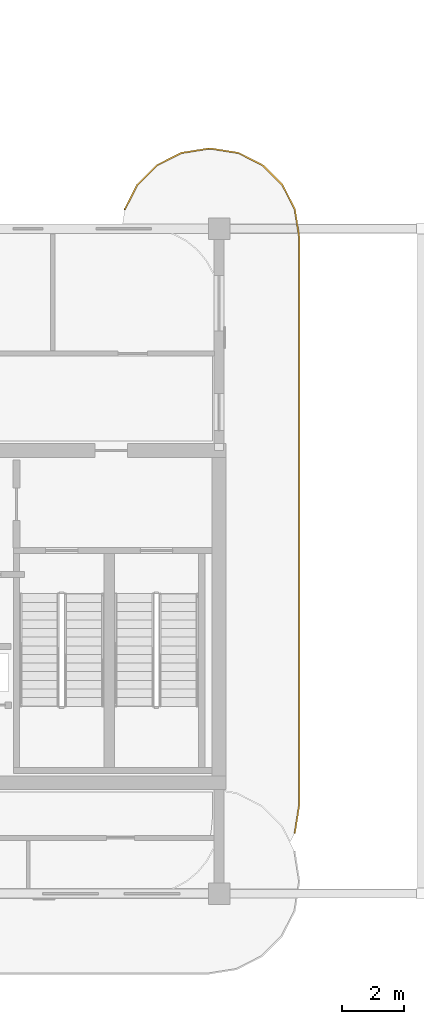
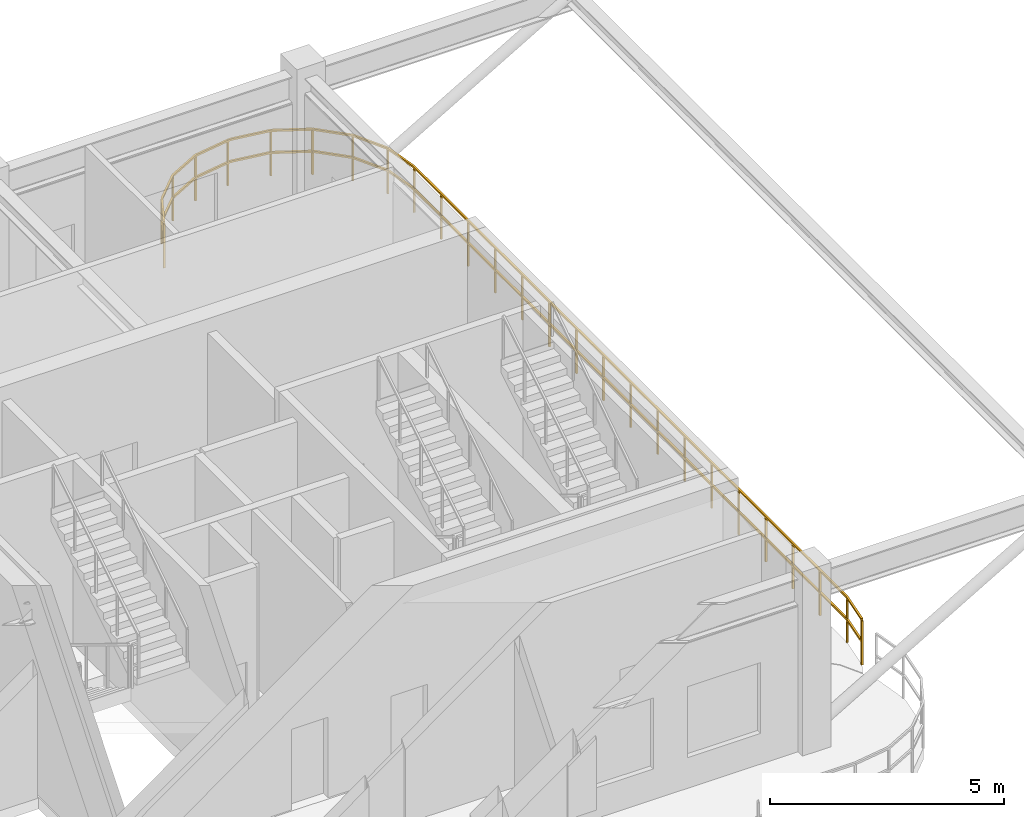
# One storey, part 8 of 8: 1 railing.
"""IFC4 building model written with IfcOpenShell, lengths in metres."""

from ifc_helpers import new_model, si_unit, derived_unit, direction, frame, origin, origin_2d, place, context, subcontext, project, spatial, rectangle, extrude, material, type_object, element, save


model = new_model("IFC4")

# Units and contexts
model_context = context("Model", 3, precision=1e-05, world=origin(), true_north=direction((0.0, 1.0)))
body_context = subcontext(model_context, "Body", "Model", "MODEL_VIEW")
ifc_project = project(units=[si_unit("LENGTHUNIT", "METRE"), si_unit("AREAUNIT", "SQUARE_METRE"), si_unit("VOLUMEUNIT", "CUBIC_METRE"), si_unit("PLANEANGLEUNIT", "RADIAN"), si_unit("MASSUNIT", "GRAM", prefix="KILO"), si_unit("THERMODYNAMICTEMPERATUREUNIT", "KELVIN"), si_unit("POWERUNIT", "WATT"), derived_unit("THERMALTRANSMITTANCEUNIT", [(si_unit("POWERUNIT", "WATT"), 1), (si_unit("AREAUNIT", "SQUARE_METRE"), -1), (si_unit("THERMODYNAMICTEMPERATUREUNIT", "KELVIN"), -1)])], contexts=[model_context])

# Site, building, storey
site_placement = place(None, origin())
site = spatial("IfcSite", under=ifc_project, at=site_placement, CompositionType="ELEMENT")
building_placement = place(site_placement, origin())
building = spatial("IfcBuilding", under=site, at=building_placement, Name="Zahravan Archway Hotel and Residences", CompositionType="ELEMENT")
storey_placement = place(building_placement, frame((0.0, 0.0, 294.300048828125)))
storey = spatial("IfcBuildingStorey", under=building, at=storey_placement, Name="L74", CompositionType="ELEMENT", Elevation=294.300048828125)

# Railing
ifc_material = material(Name="Bronze & Laminated Glass Balustrade", Category="glass")
railing_type = type_object("IfcRailingType", Name="RL-BAL-1200", PredefinedType="BALUSTRADE", material=ifc_material)
railing_placement = place(storey_placement, frame((46.739501953125, 22.230712890625, 0.0)))
element("IfcRailing", 1, at=railing_placement, inside=storey, type_object=railing_type, Name="L74 Balustrade RL-SLB-BAL-L74-EA-1", PredefinedType="BALUSTRADE", context=body_context, shape_type="SweptSolid", body=[
    extrude(rectangle(XDim=0.048095703125, YDim=0.048095703125, at=origin_2d()), frame((0.0, 0.0, 1.17578125), z_axis=(0.453991409995, 0.891006060389, 0.0), x_axis=(-0.891006060389, 0.453991409995, 0.0)), (0.0, 0.0, 1.0), 0.8916015625),
    extrude(rectangle(XDim=0.048095703125, YDim=0.048095703125, at=origin_2d()), frame((0.0, 0.0, 0.60009765625), z_axis=(0.453991409995, 0.891006060389, 0.0), x_axis=(-0.891006060389, 0.453991409995, 0.0)), (0.0, 0.0, 1.0), 0.8916015625),
    extrude(rectangle(XDim=0.048095703125, YDim=0.048095703125, at=origin_2d()), frame((0.40478515625, 0.79443359375, 1.17578125), z_axis=(0.707106781187, 0.707106781187, 0.0), x_axis=(-0.707106781187, 0.707106781187, 0.0)), (0.0, 0.0, 1.0), 0.891845703125),
    extrude(rectangle(XDim=0.048095703125, YDim=0.048095703125, at=origin_2d()), frame((0.40478515625, 0.79443359375, 0.60009765625), z_axis=(0.707106781187, 0.707106781187, 0.0), x_axis=(-0.707106781187, 0.707106781187, 0.0)), (0.0, 0.0, 1.0), 0.891845703125),
    extrude(rectangle(XDim=0.048095703125, YDim=0.048095703125, at=origin_2d()), frame((1.035400390625, 1.425048828125, 1.17578125), z_axis=(0.891006060389, 0.453991409995, 0.0), x_axis=(-0.453991409995, 0.891006060389, 0.0)), (0.0, 0.0, 1.0), 0.8916015625),
    extrude(rectangle(XDim=0.048095703125, YDim=0.048095703125, at=origin_2d()), frame((1.035400390625, 1.425048828125, 0.60009765625), z_axis=(0.891006060389, 0.453991409995, 0.0), x_axis=(-0.453991409995, 0.891006060389, 0.0)), (0.0, 0.0, 1.0), 0.8916015625),
    extrude(rectangle(XDim=0.048095703125, YDim=0.048095703125, at=origin_2d()), frame((1.829833984375, 1.829833984375, 1.17578125), z_axis=(0.987700720307, 0.156356282588, 0.0), x_axis=(-0.156356282588, 0.987700720307, 0.0)), (0.0, 0.0, 1.0), 0.8916015625),
    extrude(rectangle(XDim=0.048095703125, YDim=0.048095703125, at=origin_2d()), frame((1.829833984375, 1.829833984375, 0.60009765625), z_axis=(0.987700720307, 0.156356282588, 0.0), x_axis=(-0.156356282588, 0.987700720307, 0.0)), (0.0, 0.0, 1.0), 0.8916015625),
    extrude(rectangle(XDim=0.048095703125, YDim=0.048095703125, at=origin_2d()), frame((2.71044921875, 1.96923828125, 1.17578125), z_axis=(1.0, 0.0, 0.0), x_axis=(0.0, 1.0, 0.0)), (0.0, 0.0, 1.0), 0.10009765625),
    extrude(rectangle(XDim=0.048095703125, YDim=0.048095703125, at=origin_2d()), frame((2.71044921875, 1.96923828125, 0.60009765625), z_axis=(1.0, 0.0, 0.0), x_axis=(0.0, 1.0, 0.0)), (0.0, 0.0, 1.0), 0.10009765625),
    extrude(rectangle(XDim=0.048095703125, YDim=0.048095703125, at=origin_2d()), frame((2.810546875, 1.96923828125, 1.17578125), z_axis=(0.987700720307, -0.156356282588, 0.0), x_axis=(0.156356282588, 0.987700720307, 0.0)), (0.0, 0.0, 1.0), 0.8916015625),
    extrude(rectangle(XDim=0.048095703125, YDim=0.048095703125, at=origin_2d()), frame((2.810546875, 1.96923828125, 0.60009765625), z_axis=(0.987700720307, -0.156356282588, 0.0), x_axis=(0.156356282588, 0.987700720307, 0.0)), (0.0, 0.0, 1.0), 0.8916015625),
    extrude(rectangle(XDim=0.048095703125, YDim=0.048095703125, at=origin_2d()), frame((3.691162109375, 1.829833984375, 1.17578125), z_axis=(0.891006060389, -0.453991409995, 0.0), x_axis=(0.453991409995, 0.891006060389, 0.0)), (0.0, 0.0, 1.0), 0.8916015625),
    extrude(rectangle(XDim=0.048095703125, YDim=0.048095703125, at=origin_2d()), frame((3.691162109375, 1.829833984375, 0.60009765625), z_axis=(0.891006060389, -0.453991409995, 0.0), x_axis=(0.453991409995, 0.891006060389, 0.0)), (0.0, 0.0, 1.0), 0.8916015625),
    extrude(rectangle(XDim=0.048095703125, YDim=0.048095703125, at=origin_2d()), frame((4.485595703125, 1.425048828125, 1.17578125), z_axis=(0.707106781187, -0.707106781187, 0.0), x_axis=(0.707106781187, 0.707106781187, 0.0)), (0.0, 0.0, 1.0), 0.891845703125),
    extrude(rectangle(XDim=0.048095703125, YDim=0.048095703125, at=origin_2d()), frame((4.485595703125, 1.425048828125, 0.60009765625), z_axis=(0.707106781187, -0.707106781187, 0.0), x_axis=(0.707106781187, 0.707106781187, 0.0)), (0.0, 0.0, 1.0), 0.891845703125),
    extrude(rectangle(XDim=0.048095703125, YDim=0.048095703125, at=origin_2d()), frame((5.1162109375, 0.79443359375, 1.17578125), z_axis=(0.453991409995, -0.891006060389, 0.0), x_axis=(0.891006060389, 0.453991409995, 0.0)), (0.0, 0.0, 1.0), 0.8916015625),
    extrude(rectangle(XDim=0.048095703125, YDim=0.048095703125, at=origin_2d()), frame((5.1162109375, 0.79443359375, 0.60009765625), z_axis=(0.453991409995, -0.891006060389, 0.0), x_axis=(0.891006060389, 0.453991409995, 0.0)), (0.0, 0.0, 1.0), 0.8916015625),
    extrude(rectangle(XDim=0.048095703125, YDim=0.048095703125, at=origin_2d()), frame((5.52099609375, 0.0, 1.17578125), z_axis=(0.156356282588, -0.987700720307, 0.0), x_axis=(0.987700720307, 0.156356282588, 0.0)), (0.0, 0.0, 1.0), 0.8916015625),
    extrude(rectangle(XDim=0.048095703125, YDim=0.048095703125, at=origin_2d()), frame((5.52099609375, 0.0, 0.60009765625), z_axis=(0.156356282588, -0.987700720307, 0.0), x_axis=(0.987700720307, 0.156356282588, 0.0)), (0.0, 0.0, 1.0), 0.8916015625),
    extrude(rectangle(XDim=0.048095703125, YDim=0.048095703125, at=origin_2d()), frame((5.660400390625, -0.880615234375, 1.17578125), z_axis=(0.0, -1.0, 0.0), x_axis=(1.0, 0.0, 0.0)), (0.0, 0.0, 1.0), 18.5),
    extrude(rectangle(XDim=0.048095703125, YDim=0.048095703125, at=origin_2d()), frame((5.660400390625, -0.880615234375, 0.60009765625), z_axis=(0.0, -1.0, 0.0), x_axis=(1.0, 0.0, 0.0)), (0.0, 0.0, 1.0), 18.5),
    extrude(rectangle(XDim=0.048095703125, YDim=0.048095703125, at=origin_2d()), frame((5.660400390625, -19.380615234375, 1.17578125), z_axis=(-0.156314005608, -0.987707411965, 0.0), x_axis=(0.987707411965, -0.156314005608, 0.0)), (0.0, 0.0, 1.0), 0.891845703125),
    extrude(rectangle(XDim=0.048095703125, YDim=0.048095703125, at=origin_2d()), frame((5.660400390625, -19.380615234375, 0.60009765625), z_axis=(-0.156314005608, -0.987707411965, 0.0), x_axis=(0.987707411965, -0.156314005608, 0.0)), (0.0, 0.0, 1.0), 0.891845703125),
    extrude(rectangle(XDim=0.0419921875, YDim=0.0419921875, at=origin_2d()), origin(), (0.0, 0.0, 1.0), 1.15185546875),
    extrude(rectangle(XDim=0.0419921875, YDim=0.0419921875, at=origin_2d()), frame((0.40478515625, 0.79443359375, 0.0)), (0.0, 0.0, 1.0), 1.15185546875),
    extrude(rectangle(XDim=0.0419921875, YDim=0.0419921875, at=origin_2d()), frame((1.035400390625, 1.425048828125, 0.0)), (0.0, 0.0, 1.0), 1.15185546875),
    extrude(rectangle(XDim=0.0419921875, YDim=0.0419921875, at=origin_2d()), frame((1.829833984375, 1.829833984375, 0.0)), (0.0, 0.0, 1.0), 1.15185546875),
    extrude(rectangle(XDim=0.0419921875, YDim=0.0419921875, at=origin_2d()), frame((2.71044921875, 1.96923828125, 0.0)), (0.0, 0.0, 1.0), 1.15185546875),
    extrude(rectangle(XDim=0.0419921875, YDim=0.0419921875, at=origin_2d()), frame((3.691162109375, 1.829833984375, 0.0)), (0.0, 0.0, 1.0), 1.15185546875),
    extrude(rectangle(XDim=0.0419921875, YDim=0.0419921875, at=origin_2d()), frame((4.485595703125, 1.425048828125, 0.0)), (0.0, 0.0, 1.0), 1.15185546875),
    extrude(rectangle(XDim=0.0419921875, YDim=0.0419921875, at=origin_2d()), frame((5.1162109375, 0.79443359375, 0.0)), (0.0, 0.0, 1.0), 1.15185546875),
    extrude(rectangle(XDim=0.0419921875, YDim=0.0419921875, at=origin_2d()), frame((5.52099609375, 0.0, 0.0)), (0.0, 0.0, 1.0), 1.15185546875),
    extrude(rectangle(XDim=0.0419921875, YDim=0.0419921875, at=origin_2d()), frame((5.660400390625, -0.880615234375, 0.0)), (0.0, 0.0, 1.0), 1.15185546875),
    extrude(rectangle(XDim=0.0419921875, YDim=0.0419921875, at=origin_2d()), frame((5.660400390625, -2.036865234375, 0.0)), (0.0, 0.0, 1.0), 1.15185546875),
    extrude(rectangle(XDim=0.0419921875, YDim=0.0419921875, at=origin_2d()), frame((5.660400390625, -3.193115234375, 0.0)), (0.0, 0.0, 1.0), 1.15185546875),
    extrude(rectangle(XDim=0.0419921875, YDim=0.0419921875, at=origin_2d()), frame((5.660400390625, -4.349365234375, 0.0)), (0.0, 0.0, 1.0), 1.15185546875),
    extrude(rectangle(XDim=0.0419921875, YDim=0.0419921875, at=origin_2d()), frame((5.660400390625, -5.505615234375, 0.0)), (0.0, 0.0, 1.0), 1.15185546875),
    extrude(rectangle(XDim=0.0419921875, YDim=0.0419921875, at=origin_2d()), frame((5.660400390625, -6.661865234375, 0.0)), (0.0, 0.0, 1.0), 1.15185546875),
    extrude(rectangle(XDim=0.0419921875, YDim=0.0419921875, at=origin_2d()), frame((5.660400390625, -7.818115234375, 0.0)), (0.0, 0.0, 1.0), 1.15185546875),
    extrude(rectangle(XDim=0.0419921875, YDim=0.0419921875, at=origin_2d()), frame((5.660400390625, -8.974365234375, 0.0)), (0.0, 0.0, 1.0), 1.15185546875),
    extrude(rectangle(XDim=0.0419921875, YDim=0.0419921875, at=origin_2d()), frame((5.660400390625, -10.130615234375, 0.0)), (0.0, 0.0, 1.0), 1.15185546875),
    extrude(rectangle(XDim=0.0419921875, YDim=0.0419921875, at=origin_2d()), frame((5.660400390625, -11.286865234375, 0.0)), (0.0, 0.0, 1.0), 1.15185546875),
    extrude(rectangle(XDim=0.0419921875, YDim=0.0419921875, at=origin_2d()), frame((5.660400390625, -12.443115234375, 0.0)), (0.0, 0.0, 1.0), 1.15185546875),
    extrude(rectangle(XDim=0.0419921875, YDim=0.0419921875, at=origin_2d()), frame((5.660400390625, -13.599365234375, 0.0)), (0.0, 0.0, 1.0), 1.15185546875),
    extrude(rectangle(XDim=0.0419921875, YDim=0.0419921875, at=origin_2d()), frame((5.660400390625, -14.755615234375, 0.0)), (0.0, 0.0, 1.0), 1.15185546875),
    extrude(rectangle(XDim=0.0419921875, YDim=0.0419921875, at=origin_2d()), frame((5.660400390625, -15.911865234375, 0.0)), (0.0, 0.0, 1.0), 1.15185546875),
    extrude(rectangle(XDim=0.0419921875, YDim=0.0419921875, at=origin_2d()), frame((5.660400390625, -17.068115234375, 0.0)), (0.0, 0.0, 1.0), 1.15185546875),
    extrude(rectangle(XDim=0.0419921875, YDim=0.0419921875, at=origin_2d()), frame((5.660400390625, -18.224365234375, 0.0)), (0.0, 0.0, 1.0), 1.15185546875),
    extrude(rectangle(XDim=0.0419921875, YDim=0.0419921875, at=origin_2d()), frame((5.660400390625, -19.380615234375, 0.0)), (0.0, 0.0, 1.0), 1.15185546875),
    extrude(rectangle(XDim=0.0419921875, YDim=0.0419921875, at=origin_2d()), frame((5.52099609375, -20.261474609375, 0.0)), (0.0, 0.0, 1.0), 1.15185546875),
])

save(model, "model.ifc")
